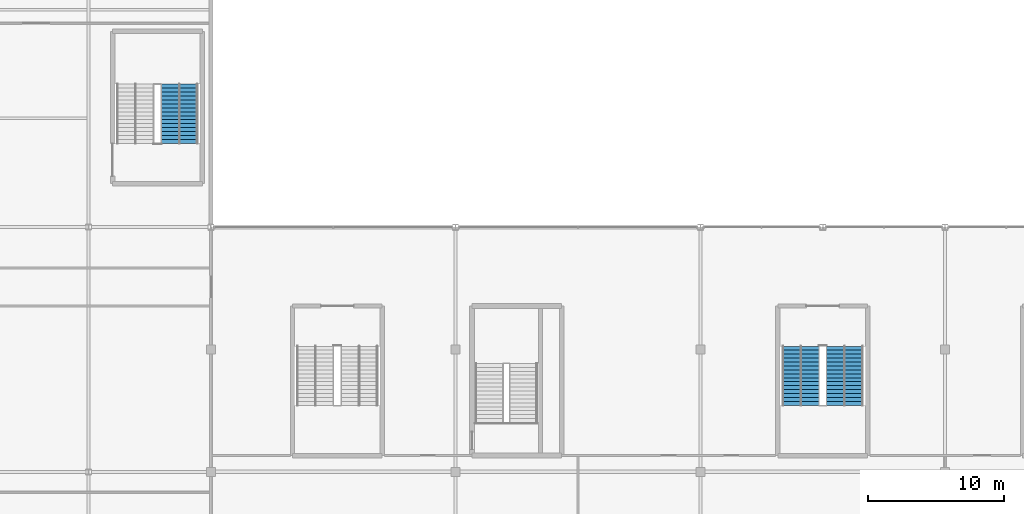
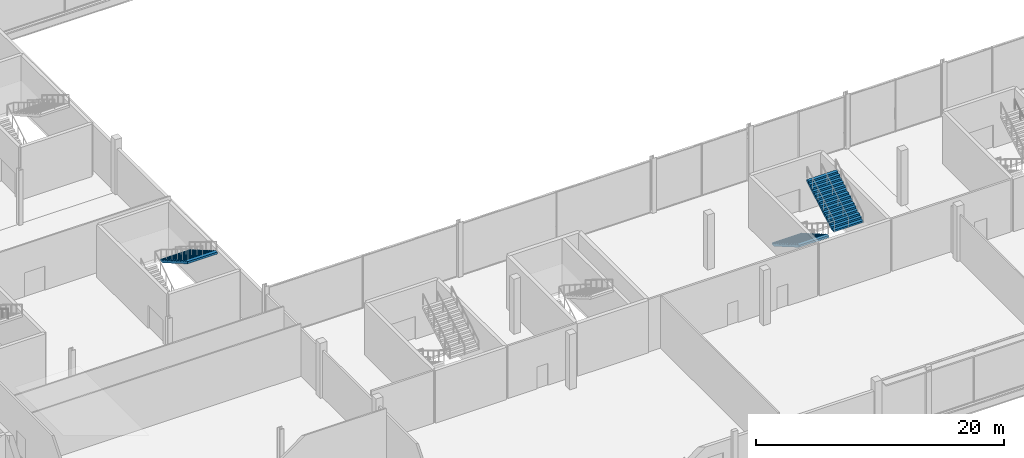
# One storey, part 84 of 111: 3 stair flights, 2 elements without a shape of their own.
"""IFC4 building model written with IfcOpenShell, lengths in metres."""

from ifc_helpers import new_model, si_unit, direction, frame, origin, place, context, subcontext, project, spatial, polygons, material, type_object, element, aggregate, save


model = new_model("IFC4")

# Units and contexts
model_context = context("Model", 3, precision=1e-05, world=origin(), true_north=direction((0.0, 1.0)))
body_context = subcontext(model_context, "Body", "Model", "MODEL_VIEW")
ifc_project = project(units=[si_unit("LENGTHUNIT", "METRE"), si_unit("AREAUNIT", "SQUARE_METRE"), si_unit("VOLUMEUNIT", "CUBIC_METRE"), si_unit("PLANEANGLEUNIT", "RADIAN"), si_unit("MASSUNIT", "GRAM", prefix="KILO")], contexts=[model_context])

# Site, building, storey
site_placement = place(None, origin())
site = spatial("IfcSite", under=ifc_project, at=site_placement, CompositionType="ELEMENT")
building_placement = place(site_placement, origin())
building = spatial("IfcBuilding", under=site, at=building_placement, Name="Kisiwana Market Hall", CompositionType="ELEMENT")
storey_placement = place(building_placement, frame((0.0, 0.0, 11.39990234375)))
storey = spatial("IfcBuildingStorey", under=building, at=storey_placement, Name="L02", CompositionType="ELEMENT", Elevation=11.39990234375)

# Stair, stair flight
ifc_material_1 = material(Name="Concrete C32/40", Category="concrete")
stair_type = type_object("IfcStairType", Name="ST-ESC-5400", PredefinedType="TWO_STRAIGHT_RUN_STAIR", material=ifc_material_1)
stair_1_placement = place(storey_placement, origin())
stair_1 = element("IfcStair", 1, at=stair_1_placement, inside=storey, type_object=stair_type, Name="Escape stair ST-W9-L02", PredefinedType="TWO_STRAIGHT_RUN_STAIR")
ifc_material_2 = material(Name="Concrete C32/40", Category="concrete")
stair_flight_type = type_object("IfcStairFlightType", Name="SF-ESC-5400", PredefinedType="STRAIGHT", material=ifc_material_2)
stair_flight_1_placement = place(storey_placement, frame((42.679931640625, 46.510009765625, 2.7001953125), z_axis=(0.0, 0.0, 1.0), x_axis=(0.0, -1.0, 0.0)))
stair_flight_1 = element("IfcStairFlight", 2, at=stair_flight_1_placement, type_object=stair_flight_type, Name="ST-W9-L02 flight 2", NumberOfRisers=16, NumberOfTreads=15, PredefinedType="STRAIGHT", RiserHeight=0.16875, TreadLength=0.29, context=body_context, shape_type="Tessellation", body=[
    polygons([(0.0, -1.380127, 0.0), (0.0, -0.690125, 0.0), (0.0, -0.000122, 0.0), (0.0, 0.68988, 0.0), (0.0, 1.379883, 0.0), (0.0, -1.380127, 0.168701), (0.0, -0.690125, 0.168701), (0.0, -0.000122, 0.168701), (0.0, 0.68988, 0.168701), (0.0, 1.379883, 0.168701), (0.290039, -1.380127, 0.168701), (0.290039, -0.690125, 0.168701), (0.290039, -0.000122, 0.168701), (0.290039, 0.68988, 0.168701), (0.290039, 1.379883, 0.168701), (0.290039, -1.380127, 0.337402), (0.290039, -0.690125, 0.337402), (0.290039, -0.000122, 0.337402), (0.290039, 0.68988, 0.337402), (0.290039, 1.379883, 0.337402), (0.580078, -1.380127, 0.337402), (0.580078, -0.690125, 0.337402), (0.580078, -0.000122, 0.337402), (0.580078, 0.68988, 0.337402), (0.580078, 1.379883, 0.337402), (0.580078, -1.380127, 0.506348), (0.580078, -0.690125, 0.506348), (0.580078, -0.000122, 0.506348), (0.580078, 0.68988, 0.506348), (0.580078, 1.379883, 0.506348), (0.870117, -1.380127, 0.506348), (0.870117, -0.690125, 0.506348), (0.870117, -0.000122, 0.506348), (0.870117, 0.68988, 0.506348), (0.870117, 1.379883, 0.506348), (0.870117, -1.380127, 0.675049), (0.870117, -0.690125, 0.675049), (0.870117, -0.000122, 0.675049), (0.870117, 0.68988, 0.675049), (0.870117, 1.379883, 0.675049), (1.159912, -1.380127, 0.675049), (1.159912, -0.690125, 0.675049), (1.159912, -0.000122, 0.675049), (1.159912, 0.68988, 0.675049), (1.159912, 1.379883, 0.675049), (1.159912, -1.380127, 0.84375), (1.159912, -0.690125, 0.84375), (1.159912, -0.000122, 0.84375), (1.159912, 0.68988, 0.84375), (1.159912, 1.379883, 0.84375), (1.449951, -1.380127, 0.84375), (1.449951, -0.690125, 0.84375), (1.449951, -0.000122, 0.84375), (1.449951, 0.68988, 0.84375), (1.449951, 1.379883, 0.84375), (1.449951, -1.380127, 1.012451), (1.449951, -0.690125, 1.012451), (1.449951, -0.000122, 1.012451), (1.449951, 0.68988, 1.012451), (1.449951, 1.379883, 1.012451), (1.73999, -1.380127, 1.012451), (1.73999, -0.690125, 1.012451), (1.73999, -0.000122, 1.012451), (1.73999, 0.68988, 1.012451), (1.73999, 1.379883, 1.012451), (1.73999, -1.380127, 1.181152), (1.73999, -0.690125, 1.181152), (1.73999, -0.000122, 1.181152), (1.73999, 0.68988, 1.181152), (1.73999, 1.379883, 1.181152), (2.030029, -1.380127, 1.181152), (2.030029, -0.690125, 1.181152), (2.030029, -0.000122, 1.181152), (2.030029, 0.68988, 1.181152), (2.030029, 1.379883, 1.181152), (2.030029, -1.380127, 1.350098), (2.030029, -0.690125, 1.350098), (2.030029, -0.000122, 1.350098), (2.030029, 0.68988, 1.350098), (2.030029, 1.379883, 1.350098), (2.320068, -1.380127, 1.350098), (2.320068, -0.690125, 1.350098), (2.320068, -0.000122, 1.350098), (2.320068, 0.68988, 1.350098), (2.320068, 1.379883, 1.350098), (2.320068, -1.380127, 1.518799), (2.320068, -0.690125, 1.518799), (2.320068, -0.000122, 1.518799), (2.320068, 0.68988, 1.518799), (2.320068, 1.379883, 1.518799), (2.610107, -1.380127, 1.518799), (2.610107, -0.690125, 1.518799), (2.610107, -0.000122, 1.518799), (2.610107, 0.68988, 1.518799), (2.610107, 1.379883, 1.518799), (2.610107, -1.380127, 1.6875), (2.610107, -0.690125, 1.6875), (2.610107, -0.000122, 1.6875), (2.610107, 0.68988, 1.6875), (2.610107, 1.379883, 1.6875), (2.899902, -1.380127, 1.6875), (2.899902, -0.690125, 1.6875), (2.899902, -0.000122, 1.6875), (2.899902, 0.68988, 1.6875), (2.899902, 1.379883, 1.6875), (2.899902, -1.380127, 1.856201), (2.899902, -0.690125, 1.856201), (2.899902, -0.000122, 1.856201), (2.899902, 0.68988, 1.856201), (2.899902, 1.379883, 1.856201), (3.189941, -1.380127, 1.856201), (3.189941, -0.690125, 1.856201), (3.189941, -0.000122, 1.856201), (3.189941, 0.68988, 1.856201), (3.189941, 1.379883, 1.856201), (3.189941, -1.380127, 2.024902), (3.189941, -0.690125, 2.024902), (3.189941, -0.000122, 2.024902), (3.189941, 0.68988, 2.024902), (3.189941, 1.379883, 2.024902), (3.47998, -1.380127, 2.024902), (3.47998, -0.690125, 2.024902), (3.47998, -0.000122, 2.024902), (3.47998, 0.68988, 2.024902), (3.47998, 1.379883, 2.024902), (3.47998, -1.380127, 2.193848), (3.47998, -0.690125, 2.193848), (3.47998, -0.000122, 2.193848), (3.47998, 0.68988, 2.193848), (3.47998, 1.379883, 2.193848), (3.77002, -1.380127, 2.193848), (3.77002, -0.690125, 2.193848), (3.77002, -0.000122, 2.193848), (3.77002, 0.68988, 2.193848), (3.77002, 1.379883, 2.193848), (3.77002, -1.380127, 2.362549), (3.77002, -0.690125, 2.362549), (3.77002, -0.000122, 2.362549), (3.77002, 0.68988, 2.362549), (3.77002, 1.379883, 2.362549), (4.060059, -1.380127, 2.362549), (4.060059, -0.690125, 2.362549), (4.060059, -0.000122, 2.362549), (4.060059, 0.68988, 2.362549), (4.060059, 1.379883, 2.362549), (4.060059, -1.380127, 2.53125), (4.060059, -0.690125, 2.53125), (4.060059, -0.000122, 2.53125), (4.060059, 0.68988, 2.53125), (4.060059, 1.379883, 2.53125), (4.350098, -1.380127, 2.53125), (4.350098, -0.690125, 2.53125), (4.350098, -0.000122, 2.53125), (4.350098, 0.68988, 2.53125), (4.350098, 1.379883, 2.53125), (4.350098, -1.380127, 2.322998), (4.350098, -0.690125, 2.322998), (4.350098, -0.000122, 2.322998), (4.350098, 0.68988, 2.322998), (4.350098, 1.379883, 2.322998), (0.357666, -1.380127, 0.0), (0.357666, -0.690125, 0.0), (0.357666, -0.000122, 0.0), (0.357666, 0.68988, 0.0), (0.357666, 1.379883, 0.0)], [[[1, 6, 7, 2]], [[2, 7, 8, 3]], [[3, 8, 9, 4]], [[4, 9, 10, 5]], [[6, 11, 12, 7]], [[7, 12, 13, 8]], [[8, 13, 14, 9]], [[9, 14, 15, 10]], [[11, 16, 17, 12]], [[12, 17, 18, 13]], [[13, 18, 19, 14]], [[14, 19, 20, 15]], [[16, 21, 22, 17]], [[17, 22, 23, 18]], [[18, 23, 24, 19]], [[19, 24, 25, 20]], [[21, 26, 27, 22]], [[22, 27, 28, 23]], [[23, 28, 29, 24]], [[24, 29, 30, 25]], [[26, 31, 32, 27]], [[27, 32, 33, 28]], [[28, 33, 34, 29]], [[29, 34, 35, 30]], [[31, 36, 37, 32]], [[32, 37, 38, 33]], [[33, 38, 39, 34]], [[34, 39, 40, 35]], [[36, 41, 42, 37]], [[37, 42, 43, 38]], [[38, 43, 44, 39]], [[39, 44, 45, 40]], [[41, 46, 47, 42]], [[42, 47, 48, 43]], [[43, 48, 49, 44]], [[44, 49, 50, 45]], [[46, 51, 52, 47]], [[47, 52, 53, 48]], [[48, 53, 54, 49]], [[49, 54, 55, 50]], [[51, 56, 57, 52]], [[52, 57, 58, 53]], [[53, 58, 59, 54]], [[54, 59, 60, 55]], [[56, 61, 62, 57]], [[57, 62, 63, 58]], [[58, 63, 64, 59]], [[59, 64, 65, 60]], [[61, 66, 67, 62]], [[62, 67, 68, 63]], [[63, 68, 69, 64]], [[64, 69, 70, 65]], [[66, 71, 72, 67]], [[67, 72, 73, 68]], [[68, 73, 74, 69]], [[69, 74, 75, 70]], [[71, 76, 77, 72]], [[72, 77, 78, 73]], [[73, 78, 79, 74]], [[74, 79, 80, 75]], [[76, 81, 82, 77]], [[77, 82, 83, 78]], [[78, 83, 84, 79]], [[79, 84, 85, 80]], [[81, 86, 87, 82]], [[82, 87, 88, 83]], [[83, 88, 89, 84]], [[84, 89, 90, 85]], [[86, 91, 92, 87]], [[87, 92, 93, 88]], [[88, 93, 94, 89]], [[89, 94, 95, 90]], [[91, 96, 97, 92]], [[92, 97, 98, 93]], [[93, 98, 99, 94]], [[94, 99, 100, 95]], [[96, 101, 102, 97]], [[97, 102, 103, 98]], [[98, 103, 104, 99]], [[99, 104, 105, 100]], [[101, 106, 107, 102]], [[102, 107, 108, 103]], [[103, 108, 109, 104]], [[104, 109, 110, 105]], [[106, 111, 112, 107]], [[107, 112, 113, 108]], [[108, 113, 114, 109]], [[109, 114, 115, 110]], [[111, 116, 117, 112]], [[112, 117, 118, 113]], [[113, 118, 119, 114]], [[114, 119, 120, 115]], [[116, 121, 122, 117]], [[117, 122, 123, 118]], [[118, 123, 124, 119]], [[119, 124, 125, 120]], [[121, 126, 127, 122]], [[122, 127, 128, 123]], [[123, 128, 129, 124]], [[124, 129, 130, 125]], [[126, 131, 132, 127]], [[127, 132, 133, 128]], [[128, 133, 134, 129]], [[129, 134, 135, 130]], [[131, 136, 137, 132]], [[132, 137, 138, 133]], [[133, 138, 139, 134]], [[134, 139, 140, 135]], [[136, 141, 142, 137]], [[137, 142, 143, 138]], [[138, 143, 144, 139]], [[139, 144, 145, 140]], [[141, 146, 147, 142]], [[142, 147, 148, 143]], [[143, 148, 149, 144]], [[144, 149, 150, 145]], [[146, 151, 152, 147]], [[147, 152, 153, 148]], [[148, 153, 154, 149]], [[149, 154, 155, 150]], [[151, 156, 157, 152]], [[152, 157, 158, 153]], [[153, 158, 159, 154]], [[154, 159, 160, 155]], [[156, 161, 162, 157]], [[157, 162, 163, 158]], [[158, 163, 164, 159]], [[159, 164, 165, 160]], [[161, 1, 2, 162]], [[162, 2, 3, 163]], [[163, 3, 4, 164]], [[164, 4, 5, 165]], [[161, 156, 151, 146, 141, 136, 131, 126, 121, 116, 111, 106, 101, 96, 91, 86, 81, 76, 71, 66, 61, 56, 51, 46, 41, 36, 31, 26, 21, 16, 11, 6, 1]], [[5, 10, 15, 20, 25, 30, 35, 40, 45, 50, 55, 60, 65, 70, 75, 80, 85, 90, 95, 100, 105, 110, 115, 120, 125, 130, 135, 140, 145, 150, 155, 160, 165]]], closed=True),
])
aggregate(stair_1, [stair_flight_1])

# Stair, stair flights
stair_2_placement = place(storey_placement, origin())
stair_2 = element("IfcStair", 3, at=stair_2_placement, inside=storey, type_object=stair_type, Name="Escape stair ST-S4-L02", PredefinedType="TWO_STRAIGHT_RUN_STAIR")
stair_flight_2_placement = place(storey_placement, frame((88.389892578125, 27.239990234375, 0.0), z_axis=(0.0, 0.0, 1.0), x_axis=(0.0, -1.0, 0.0)))
stair_flight_2 = element("IfcStairFlight", 4, at=stair_flight_2_placement, type_object=stair_flight_type, Name="ST-S4-L02 flight 1", NumberOfRisers=16, NumberOfTreads=15, PredefinedType="STRAIGHT", RiserHeight=0.16875, TreadLength=0.29, context=body_context, shape_type="Tessellation", body=[
    polygons([(0.0, -1.380127, 0.0), (0.0, -0.690125, 0.0), (0.0, -0.000122, 0.0), (0.0, 0.68988, 0.0), (0.0, 1.379883, 0.0), (0.0, -1.380127, 0.168701), (0.0, -0.690125, 0.168701), (0.0, -0.000122, 0.168701), (0.0, 0.68988, 0.168701), (0.0, 1.379883, 0.168701), (0.290039, -1.380127, 0.168701), (0.290039, -0.690125, 0.168701), (0.290039, -0.000122, 0.168701), (0.290039, 0.68988, 0.168701), (0.290039, 1.379883, 0.168701), (0.290039, -1.380127, 0.337402), (0.290039, -0.690125, 0.337402), (0.290039, -0.000122, 0.337402), (0.290039, 0.68988, 0.337402), (0.290039, 1.379883, 0.337402), (0.580078, -1.380127, 0.337402), (0.580078, -0.690125, 0.337402), (0.580078, -0.000122, 0.337402), (0.580078, 0.68988, 0.337402), (0.580078, 1.379883, 0.337402), (0.580078, -1.380127, 0.506348), (0.580078, -0.690125, 0.506348), (0.580078, -0.000122, 0.506348), (0.580078, 0.68988, 0.506348), (0.580078, 1.379883, 0.506348), (0.870117, -1.380127, 0.506348), (0.870117, -0.690125, 0.506348), (0.870117, -0.000122, 0.506348), (0.870117, 0.68988, 0.506348), (0.870117, 1.379883, 0.506348), (0.870117, -1.380127, 0.675049), (0.870117, -0.690125, 0.675049), (0.870117, -0.000122, 0.675049), (0.870117, 0.68988, 0.675049), (0.870117, 1.379883, 0.675049), (1.159912, -1.380127, 0.675049), (1.159912, -0.690125, 0.675049), (1.159912, -0.000122, 0.675049), (1.159912, 0.68988, 0.675049), (1.159912, 1.379883, 0.675049), (1.159912, -1.380127, 0.84375), (1.159912, -0.690125, 0.84375), (1.159912, -0.000122, 0.84375), (1.159912, 0.68988, 0.84375), (1.159912, 1.379883, 0.84375), (1.449951, -1.380127, 0.84375), (1.449951, -0.690125, 0.84375), (1.449951, -0.000122, 0.84375), (1.449951, 0.68988, 0.84375), (1.449951, 1.379883, 0.84375), (1.449951, -1.380127, 1.012451), (1.449951, -0.690125, 1.012451), (1.449951, -0.000122, 1.012451), (1.449951, 0.68988, 1.012451), (1.449951, 1.379883, 1.012451), (1.73999, -1.380127, 1.012451), (1.73999, -0.690125, 1.012451), (1.73999, -0.000122, 1.012451), (1.73999, 0.68988, 1.012451), (1.73999, 1.379883, 1.012451), (1.73999, -1.380127, 1.181152), (1.73999, -0.690125, 1.181152), (1.73999, -0.000122, 1.181152), (1.73999, 0.68988, 1.181152), (1.73999, 1.379883, 1.181152), (2.030029, -1.380127, 1.181152), (2.030029, -0.690125, 1.181152), (2.030029, -0.000122, 1.181152), (2.030029, 0.68988, 1.181152), (2.030029, 1.379883, 1.181152), (2.030029, -1.380127, 1.350098), (2.030029, -0.690125, 1.350098), (2.030029, -0.000122, 1.350098), (2.030029, 0.68988, 1.350098), (2.030029, 1.379883, 1.350098), (2.320068, -1.380127, 1.350098), (2.320068, -0.690125, 1.350098), (2.320068, -0.000122, 1.350098), (2.320068, 0.68988, 1.350098), (2.320068, 1.379883, 1.350098), (2.320068, -1.380127, 1.518799), (2.320068, -0.690125, 1.518799), (2.320068, -0.000122, 1.518799), (2.320068, 0.68988, 1.518799), (2.320068, 1.379883, 1.518799), (2.610107, -1.380127, 1.518799), (2.610107, -0.690125, 1.518799), (2.610107, -0.000122, 1.518799), (2.610107, 0.68988, 1.518799), (2.610107, 1.379883, 1.518799), (2.610107, -1.380127, 1.6875), (2.610107, -0.690125, 1.6875), (2.610107, -0.000122, 1.6875), (2.610107, 0.68988, 1.6875), (2.610107, 1.379883, 1.6875), (2.899902, -1.380127, 1.6875), (2.899902, -0.690125, 1.6875), (2.899902, -0.000122, 1.6875), (2.899902, 0.68988, 1.6875), (2.899902, 1.379883, 1.6875), (2.899902, -1.380127, 1.856201), (2.899902, -0.690125, 1.856201), (2.899902, -0.000122, 1.856201), (2.899902, 0.68988, 1.856201), (2.899902, 1.379883, 1.856201), (3.189941, -1.380127, 1.856201), (3.189941, -0.690125, 1.856201), (3.189941, -0.000122, 1.856201), (3.189941, 0.68988, 1.856201), (3.189941, 1.379883, 1.856201), (3.189941, -1.380127, 2.024902), (3.189941, -0.690125, 2.024902), (3.189941, -0.000122, 2.024902), (3.189941, 0.68988, 2.024902), (3.189941, 1.379883, 2.024902), (3.47998, -1.380127, 2.024902), (3.47998, -0.690125, 2.024902), (3.47998, -0.000122, 2.024902), (3.47998, 0.68988, 2.024902), (3.47998, 1.379883, 2.024902), (3.47998, -1.380127, 2.193848), (3.47998, -0.690125, 2.193848), (3.47998, -0.000122, 2.193848), (3.47998, 0.68988, 2.193848), (3.47998, 1.379883, 2.193848), (3.77002, -1.380127, 2.193848), (3.77002, -0.690125, 2.193848), (3.77002, -0.000122, 2.193848), (3.77002, 0.68988, 2.193848), (3.77002, 1.379883, 2.193848), (3.77002, -1.380127, 2.362549), (3.77002, -0.690125, 2.362549), (3.77002, -0.000122, 2.362549), (3.77002, 0.68988, 2.362549), (3.77002, 1.379883, 2.362549), (4.060059, -1.380127, 2.362549), (4.060059, -0.690125, 2.362549), (4.060059, -0.000122, 2.362549), (4.060059, 0.68988, 2.362549), (4.060059, 1.379883, 2.362549), (4.060059, -1.380127, 2.53125), (4.060059, -0.690125, 2.53125), (4.060059, -0.000122, 2.53125), (4.060059, 0.68988, 2.53125), (4.060059, 1.379883, 2.53125), (4.350098, -1.380127, 2.53125), (4.350098, -0.690125, 2.53125), (4.350098, -0.000122, 2.53125), (4.350098, 0.68988, 2.53125), (4.350098, 1.379883, 2.53125), (4.350098, -1.380127, 2.322998), (4.350098, -0.690125, 2.322998), (4.350098, -0.000122, 2.322998), (4.350098, 0.68988, 2.322998), (4.350098, 1.379883, 2.322998), (0.357666, -1.380127, 0.0), (0.357666, -0.690125, 0.0), (0.357666, -0.000122, 0.0), (0.357666, 0.68988, 0.0), (0.357666, 1.379883, 0.0)], [[[1, 6, 7, 2]], [[2, 7, 8, 3]], [[3, 8, 9, 4]], [[4, 9, 10, 5]], [[6, 11, 12, 7]], [[7, 12, 13, 8]], [[8, 13, 14, 9]], [[9, 14, 15, 10]], [[11, 16, 17, 12]], [[12, 17, 18, 13]], [[13, 18, 19, 14]], [[14, 19, 20, 15]], [[16, 21, 22, 17]], [[17, 22, 23, 18]], [[18, 23, 24, 19]], [[19, 24, 25, 20]], [[21, 26, 27, 22]], [[22, 27, 28, 23]], [[23, 28, 29, 24]], [[24, 29, 30, 25]], [[26, 31, 32, 27]], [[27, 32, 33, 28]], [[28, 33, 34, 29]], [[29, 34, 35, 30]], [[31, 36, 37, 32]], [[32, 37, 38, 33]], [[33, 38, 39, 34]], [[34, 39, 40, 35]], [[36, 41, 42, 37]], [[37, 42, 43, 38]], [[38, 43, 44, 39]], [[39, 44, 45, 40]], [[41, 46, 47, 42]], [[42, 47, 48, 43]], [[43, 48, 49, 44]], [[44, 49, 50, 45]], [[46, 51, 52, 47]], [[47, 52, 53, 48]], [[48, 53, 54, 49]], [[49, 54, 55, 50]], [[51, 56, 57, 52]], [[52, 57, 58, 53]], [[53, 58, 59, 54]], [[54, 59, 60, 55]], [[56, 61, 62, 57]], [[57, 62, 63, 58]], [[58, 63, 64, 59]], [[59, 64, 65, 60]], [[61, 66, 67, 62]], [[62, 67, 68, 63]], [[63, 68, 69, 64]], [[64, 69, 70, 65]], [[66, 71, 72, 67]], [[67, 72, 73, 68]], [[68, 73, 74, 69]], [[69, 74, 75, 70]], [[71, 76, 77, 72]], [[72, 77, 78, 73]], [[73, 78, 79, 74]], [[74, 79, 80, 75]], [[76, 81, 82, 77]], [[77, 82, 83, 78]], [[78, 83, 84, 79]], [[79, 84, 85, 80]], [[81, 86, 87, 82]], [[82, 87, 88, 83]], [[83, 88, 89, 84]], [[84, 89, 90, 85]], [[86, 91, 92, 87]], [[87, 92, 93, 88]], [[88, 93, 94, 89]], [[89, 94, 95, 90]], [[91, 96, 97, 92]], [[92, 97, 98, 93]], [[93, 98, 99, 94]], [[94, 99, 100, 95]], [[96, 101, 102, 97]], [[97, 102, 103, 98]], [[98, 103, 104, 99]], [[99, 104, 105, 100]], [[101, 106, 107, 102]], [[102, 107, 108, 103]], [[103, 108, 109, 104]], [[104, 109, 110, 105]], [[106, 111, 112, 107]], [[107, 112, 113, 108]], [[108, 113, 114, 109]], [[109, 114, 115, 110]], [[111, 116, 117, 112]], [[112, 117, 118, 113]], [[113, 118, 119, 114]], [[114, 119, 120, 115]], [[116, 121, 122, 117]], [[117, 122, 123, 118]], [[118, 123, 124, 119]], [[119, 124, 125, 120]], [[121, 126, 127, 122]], [[122, 127, 128, 123]], [[123, 128, 129, 124]], [[124, 129, 130, 125]], [[126, 131, 132, 127]], [[127, 132, 133, 128]], [[128, 133, 134, 129]], [[129, 134, 135, 130]], [[131, 136, 137, 132]], [[132, 137, 138, 133]], [[133, 138, 139, 134]], [[134, 139, 140, 135]], [[136, 141, 142, 137]], [[137, 142, 143, 138]], [[138, 143, 144, 139]], [[139, 144, 145, 140]], [[141, 146, 147, 142]], [[142, 147, 148, 143]], [[143, 148, 149, 144]], [[144, 149, 150, 145]], [[146, 151, 152, 147]], [[147, 152, 153, 148]], [[148, 153, 154, 149]], [[149, 154, 155, 150]], [[151, 156, 157, 152]], [[152, 157, 158, 153]], [[153, 158, 159, 154]], [[154, 159, 160, 155]], [[156, 161, 162, 157]], [[157, 162, 163, 158]], [[158, 163, 164, 159]], [[159, 164, 165, 160]], [[161, 1, 2, 162]], [[162, 2, 3, 163]], [[163, 3, 4, 164]], [[164, 4, 5, 165]], [[161, 156, 151, 146, 141, 136, 131, 126, 121, 116, 111, 106, 101, 96, 91, 86, 81, 76, 71, 66, 61, 56, 51, 46, 41, 36, 31, 26, 21, 16, 11, 6, 1]], [[5, 10, 15, 20, 25, 30, 35, 40, 45, 50, 55, 60, 65, 70, 75, 80, 85, 90, 95, 100, 105, 110, 115, 120, 125, 130, 135, 140, 145, 150, 155, 160, 165]]], closed=True),
])
stair_flight_3_placement = place(storey_placement, frame((91.610107421875, 22.889892578125, 2.7001953125), z_axis=(0.0, 0.0, 1.0), x_axis=(0.0, 1.0, 0.0)))
stair_flight_3 = element("IfcStairFlight", 5, at=stair_flight_3_placement, type_object=stair_flight_type, Name="ST-S4-L02 flight 2", NumberOfRisers=16, NumberOfTreads=15, PredefinedType="STRAIGHT", RiserHeight=0.16875, TreadLength=0.29, context=body_context, shape_type="Tessellation", body=[
    polygons([(0.0, -1.380127, 0.0), (0.0, -0.690125, 0.0), (0.0, -0.000122, 0.0), (0.0, 0.68988, 0.0), (0.0, 1.379883, 0.0), (0.0, -1.380127, 0.168701), (0.0, -0.690125, 0.168701), (0.0, -0.000122, 0.168701), (0.0, 0.68988, 0.168701), (0.0, 1.379883, 0.168701), (0.290039, -1.380127, 0.168701), (0.290039, -0.690125, 0.168701), (0.290039, -0.000122, 0.168701), (0.290039, 0.68988, 0.168701), (0.290039, 1.379883, 0.168701), (0.290039, -1.380127, 0.337402), (0.290039, -0.690125, 0.337402), (0.290039, -0.000122, 0.337402), (0.290039, 0.68988, 0.337402), (0.290039, 1.379883, 0.337402), (0.580078, -1.380127, 0.337402), (0.580078, -0.690125, 0.337402), (0.580078, -0.000122, 0.337402), (0.580078, 0.68988, 0.337402), (0.580078, 1.379883, 0.337402), (0.580078, -1.380127, 0.506348), (0.580078, -0.690125, 0.506348), (0.580078, -0.000122, 0.506348), (0.580078, 0.68988, 0.506348), (0.580078, 1.379883, 0.506348), (0.870117, -1.380127, 0.506348), (0.870117, -0.690125, 0.506348), (0.870117, -0.000122, 0.506348), (0.870117, 0.68988, 0.506348), (0.870117, 1.379883, 0.506348), (0.870117, -1.380127, 0.675049), (0.870117, -0.690125, 0.675049), (0.870117, -0.000122, 0.675049), (0.870117, 0.68988, 0.675049), (0.870117, 1.379883, 0.675049), (1.159912, -1.380127, 0.675049), (1.159912, -0.690125, 0.675049), (1.159912, -0.000122, 0.675049), (1.159912, 0.68988, 0.675049), (1.159912, 1.379883, 0.675049), (1.159912, -1.380127, 0.84375), (1.159912, -0.690125, 0.84375), (1.159912, -0.000122, 0.84375), (1.159912, 0.68988, 0.84375), (1.159912, 1.379883, 0.84375), (1.449951, -1.380127, 0.84375), (1.449951, -0.690125, 0.84375), (1.449951, -0.000122, 0.84375), (1.449951, 0.68988, 0.84375), (1.449951, 1.379883, 0.84375), (1.449951, -1.380127, 1.012451), (1.449951, -0.690125, 1.012451), (1.449951, -0.000122, 1.012451), (1.449951, 0.68988, 1.012451), (1.449951, 1.379883, 1.012451), (1.73999, -1.380127, 1.012451), (1.73999, -0.690125, 1.012451), (1.73999, -0.000122, 1.012451), (1.73999, 0.68988, 1.012451), (1.73999, 1.379883, 1.012451), (1.73999, -1.380127, 1.181152), (1.73999, -0.690125, 1.181152), (1.73999, -0.000122, 1.181152), (1.73999, 0.68988, 1.181152), (1.73999, 1.379883, 1.181152), (2.030029, -1.380127, 1.181152), (2.030029, -0.690125, 1.181152), (2.030029, -0.000122, 1.181152), (2.030029, 0.68988, 1.181152), (2.030029, 1.379883, 1.181152), (2.030029, -1.380127, 1.350098), (2.030029, -0.690125, 1.350098), (2.030029, -0.000122, 1.350098), (2.030029, 0.68988, 1.350098), (2.030029, 1.379883, 1.350098), (2.320068, -1.380127, 1.350098), (2.320068, -0.690125, 1.350098), (2.320068, -0.000122, 1.350098), (2.320068, 0.68988, 1.350098), (2.320068, 1.379883, 1.350098), (2.320068, -1.380127, 1.518799), (2.320068, -0.690125, 1.518799), (2.320068, -0.000122, 1.518799), (2.320068, 0.68988, 1.518799), (2.320068, 1.379883, 1.518799), (2.610107, -1.380127, 1.518799), (2.610107, -0.690125, 1.518799), (2.610107, -0.000122, 1.518799), (2.610107, 0.68988, 1.518799), (2.610107, 1.379883, 1.518799), (2.610107, -1.380127, 1.6875), (2.610107, -0.690125, 1.6875), (2.610107, -0.000122, 1.6875), (2.610107, 0.68988, 1.6875), (2.610107, 1.379883, 1.6875), (2.899902, -1.380127, 1.6875), (2.899902, -0.690125, 1.6875), (2.899902, -0.000122, 1.6875), (2.899902, 0.68988, 1.6875), (2.899902, 1.379883, 1.6875), (2.899902, -1.380127, 1.856201), (2.899902, -0.690125, 1.856201), (2.899902, -0.000122, 1.856201), (2.899902, 0.68988, 1.856201), (2.899902, 1.379883, 1.856201), (3.189941, -1.380127, 1.856201), (3.189941, -0.690125, 1.856201), (3.189941, -0.000122, 1.856201), (3.189941, 0.68988, 1.856201), (3.189941, 1.379883, 1.856201), (3.189941, -1.380127, 2.024902), (3.189941, -0.690125, 2.024902), (3.189941, -0.000122, 2.024902), (3.189941, 0.68988, 2.024902), (3.189941, 1.379883, 2.024902), (3.47998, -1.380127, 2.024902), (3.47998, -0.690125, 2.024902), (3.47998, -0.000122, 2.024902), (3.47998, 0.68988, 2.024902), (3.47998, 1.379883, 2.024902), (3.47998, -1.380127, 2.193848), (3.47998, -0.690125, 2.193848), (3.47998, -0.000122, 2.193848), (3.47998, 0.68988, 2.193848), (3.47998, 1.379883, 2.193848), (3.77002, -1.380127, 2.193848), (3.77002, -0.690125, 2.193848), (3.77002, -0.000122, 2.193848), (3.77002, 0.68988, 2.193848), (3.77002, 1.379883, 2.193848), (3.77002, -1.380127, 2.362549), (3.77002, -0.690125, 2.362549), (3.77002, -0.000122, 2.362549), (3.77002, 0.68988, 2.362549), (3.77002, 1.379883, 2.362549), (4.060059, -1.380127, 2.362549), (4.060059, -0.690125, 2.362549), (4.060059, -0.000122, 2.362549), (4.060059, 0.68988, 2.362549), (4.060059, 1.379883, 2.362549), (4.060059, -1.380127, 2.53125), (4.060059, -0.690125, 2.53125), (4.060059, -0.000122, 2.53125), (4.060059, 0.68988, 2.53125), (4.060059, 1.379883, 2.53125), (4.350098, -1.380127, 2.53125), (4.350098, -0.690125, 2.53125), (4.350098, -0.000122, 2.53125), (4.350098, 0.68988, 2.53125), (4.350098, 1.379883, 2.53125), (4.350098, -1.380127, 2.322998), (4.350098, -0.690125, 2.322998), (4.350098, -0.000122, 2.322998), (4.350098, 0.68988, 2.322998), (4.350098, 1.379883, 2.322998), (0.357666, -1.380127, 0.0), (0.357666, -0.690125, 0.0), (0.357666, -0.000122, 0.0), (0.357666, 0.68988, 0.0), (0.357666, 1.379883, 0.0)], [[[1, 6, 7, 2]], [[2, 7, 8, 3]], [[3, 8, 9, 4]], [[4, 9, 10, 5]], [[6, 11, 12, 7]], [[7, 12, 13, 8]], [[8, 13, 14, 9]], [[9, 14, 15, 10]], [[11, 16, 17, 12]], [[12, 17, 18, 13]], [[13, 18, 19, 14]], [[14, 19, 20, 15]], [[16, 21, 22, 17]], [[17, 22, 23, 18]], [[18, 23, 24, 19]], [[19, 24, 25, 20]], [[21, 26, 27, 22]], [[22, 27, 28, 23]], [[23, 28, 29, 24]], [[24, 29, 30, 25]], [[26, 31, 32, 27]], [[27, 32, 33, 28]], [[28, 33, 34, 29]], [[29, 34, 35, 30]], [[31, 36, 37, 32]], [[32, 37, 38, 33]], [[33, 38, 39, 34]], [[34, 39, 40, 35]], [[36, 41, 42, 37]], [[37, 42, 43, 38]], [[38, 43, 44, 39]], [[39, 44, 45, 40]], [[41, 46, 47, 42]], [[42, 47, 48, 43]], [[43, 48, 49, 44]], [[44, 49, 50, 45]], [[46, 51, 52, 47]], [[47, 52, 53, 48]], [[48, 53, 54, 49]], [[49, 54, 55, 50]], [[51, 56, 57, 52]], [[52, 57, 58, 53]], [[53, 58, 59, 54]], [[54, 59, 60, 55]], [[56, 61, 62, 57]], [[57, 62, 63, 58]], [[58, 63, 64, 59]], [[59, 64, 65, 60]], [[61, 66, 67, 62]], [[62, 67, 68, 63]], [[63, 68, 69, 64]], [[64, 69, 70, 65]], [[66, 71, 72, 67]], [[67, 72, 73, 68]], [[68, 73, 74, 69]], [[69, 74, 75, 70]], [[71, 76, 77, 72]], [[72, 77, 78, 73]], [[73, 78, 79, 74]], [[74, 79, 80, 75]], [[76, 81, 82, 77]], [[77, 82, 83, 78]], [[78, 83, 84, 79]], [[79, 84, 85, 80]], [[81, 86, 87, 82]], [[82, 87, 88, 83]], [[83, 88, 89, 84]], [[84, 89, 90, 85]], [[86, 91, 92, 87]], [[87, 92, 93, 88]], [[88, 93, 94, 89]], [[89, 94, 95, 90]], [[91, 96, 97, 92]], [[92, 97, 98, 93]], [[93, 98, 99, 94]], [[94, 99, 100, 95]], [[96, 101, 102, 97]], [[97, 102, 103, 98]], [[98, 103, 104, 99]], [[99, 104, 105, 100]], [[101, 106, 107, 102]], [[102, 107, 108, 103]], [[103, 108, 109, 104]], [[104, 109, 110, 105]], [[106, 111, 112, 107]], [[107, 112, 113, 108]], [[108, 113, 114, 109]], [[109, 114, 115, 110]], [[111, 116, 117, 112]], [[112, 117, 118, 113]], [[113, 118, 119, 114]], [[114, 119, 120, 115]], [[116, 121, 122, 117]], [[117, 122, 123, 118]], [[118, 123, 124, 119]], [[119, 124, 125, 120]], [[121, 126, 127, 122]], [[122, 127, 128, 123]], [[123, 128, 129, 124]], [[124, 129, 130, 125]], [[126, 131, 132, 127]], [[127, 132, 133, 128]], [[128, 133, 134, 129]], [[129, 134, 135, 130]], [[131, 136, 137, 132]], [[132, 137, 138, 133]], [[133, 138, 139, 134]], [[134, 139, 140, 135]], [[136, 141, 142, 137]], [[137, 142, 143, 138]], [[138, 143, 144, 139]], [[139, 144, 145, 140]], [[141, 146, 147, 142]], [[142, 147, 148, 143]], [[143, 148, 149, 144]], [[144, 149, 150, 145]], [[146, 151, 152, 147]], [[147, 152, 153, 148]], [[148, 153, 154, 149]], [[149, 154, 155, 150]], [[151, 156, 157, 152]], [[152, 157, 158, 153]], [[153, 158, 159, 154]], [[154, 159, 160, 155]], [[156, 161, 162, 157]], [[157, 162, 163, 158]], [[158, 163, 164, 159]], [[159, 164, 165, 160]], [[161, 1, 2, 162]], [[162, 2, 3, 163]], [[163, 3, 4, 164]], [[164, 4, 5, 165]], [[161, 156, 151, 146, 141, 136, 131, 126, 121, 116, 111, 106, 101, 96, 91, 86, 81, 76, 71, 66, 61, 56, 51, 46, 41, 36, 31, 26, 21, 16, 11, 6, 1]], [[5, 10, 15, 20, 25, 30, 35, 40, 45, 50, 55, 60, 65, 70, 75, 80, 85, 90, 95, 100, 105, 110, 115, 120, 125, 130, 135, 140, 145, 150, 155, 160, 165]]], closed=True),
])
aggregate(stair_2, [stair_flight_2, stair_flight_3])

save(model, "model.ifc")
